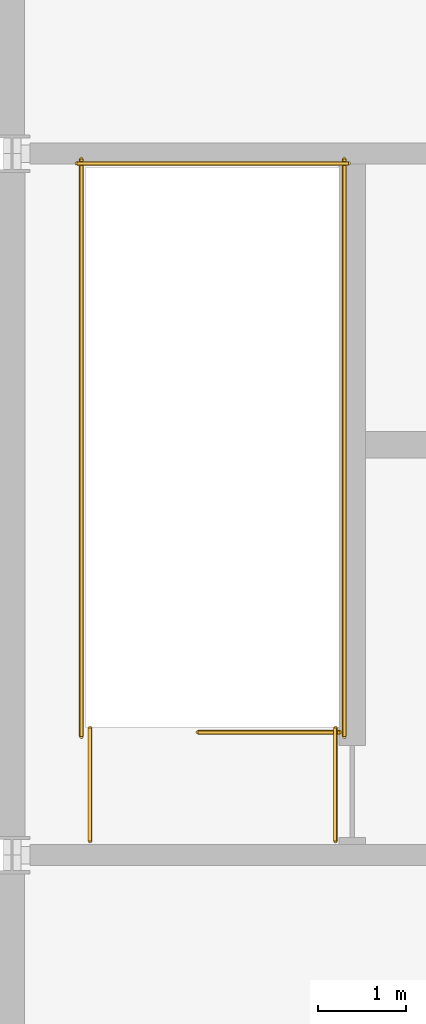
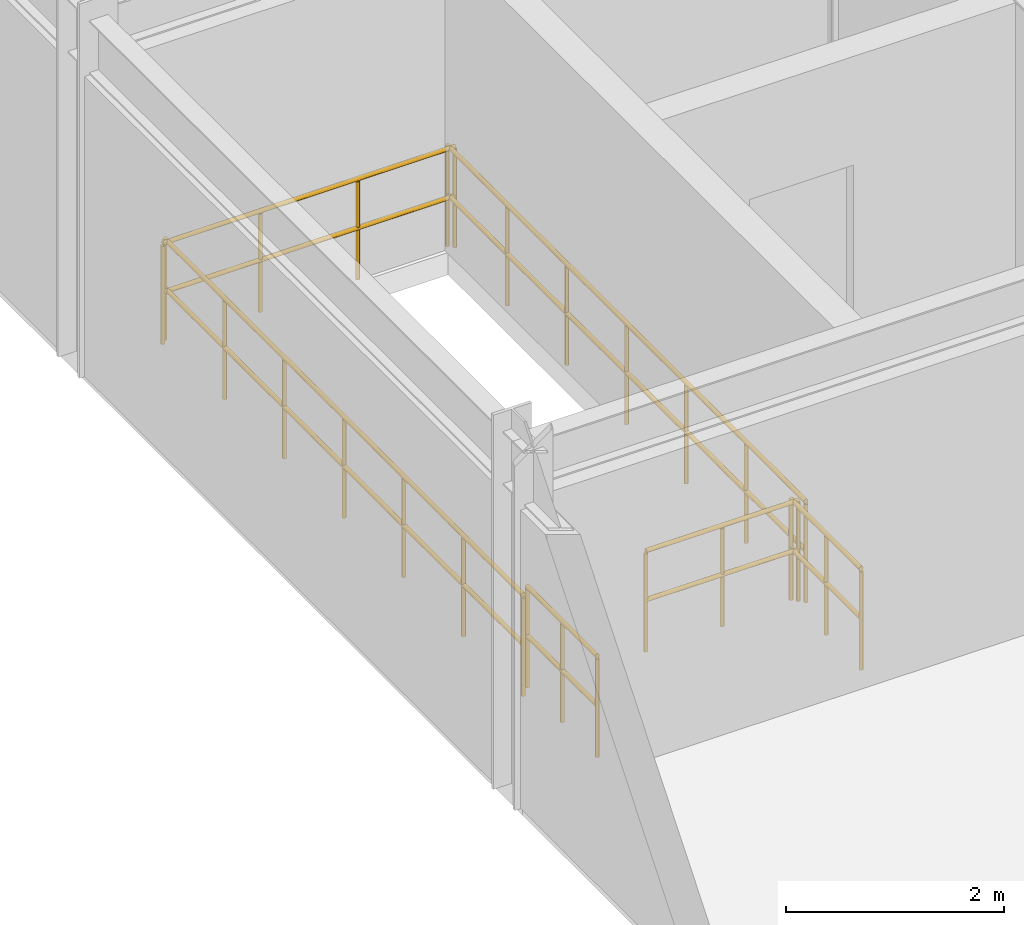
# One storey, part 51 of 54: 6 railings.
"""IFC4 building model written with IfcOpenShell, lengths in metres."""

from ifc_helpers import new_model, si_unit, direction, frame, origin, origin_2d, place, context, subcontext, project, spatial, circle, extrude, material, type_object, element, save


model = new_model("IFC4")

# Units and contexts
model_context = context("Model", 3, precision=1e-05, world=origin(), true_north=direction((0.0, 1.0)))
body_context = subcontext(model_context, "Body", "Model", "MODEL_VIEW")
ifc_project = project(units=[si_unit("LENGTHUNIT", "METRE"), si_unit("AREAUNIT", "SQUARE_METRE"), si_unit("VOLUMEUNIT", "CUBIC_METRE"), si_unit("PLANEANGLEUNIT", "RADIAN"), si_unit("MASSUNIT", "GRAM", prefix="KILO")], contexts=[model_context])

# Site, building, storey
site_placement = place(None, origin())
site = spatial("IfcSite", under=ifc_project, at=site_placement, CompositionType="ELEMENT")
building_placement = place(site_placement, origin())
building = spatial("IfcBuilding", under=site, at=building_placement, Name="Haebicheon Civic Stadium", CompositionType="ELEMENT")
storey_placement = place(building_placement, frame((0.0, 0.0, 22.800048828125)))
storey = spatial("IfcBuildingStorey", under=building, at=storey_placement, Name="L06", CompositionType="ELEMENT", Elevation=22.800048828125)

# Railings
ifc_material = material(Name="Galvanised painted steel SM355", Category="steel")
railing_type = type_object("IfcRailingType", Name="RL-GRD-1150", PredefinedType="GUARDRAIL", material=ifc_material)
railing_1_placement = place(storey_placement, frame((147.739990234375, 65.39990234375, 0.0)))
element("IfcRailing", 1, at=railing_1_placement, inside=storey, type_object=railing_type, material=ifc_material, Name="L06 ST-10 top well guard 1", PredefinedType="GUARDRAIL", context=body_context, shape_type="SweptSolid", body=[
    extrude(circle(Radius=0.02392578125, at=origin_2d()), frame((0.0, 0.0, 1.1259765625), z_axis=(-1.0, 0.0, 0.0), x_axis=(0.0, -1.0, 0.0)), (0.0, 0.0, 1.0), 1.619873046875),
    extrude(circle(Radius=0.02392578125, at=origin_2d()), frame((0.0, 0.0, 0.574951171875), z_axis=(-1.0, 0.0, 0.0), x_axis=(0.0, -1.0, 0.0)), (0.0, 0.0, 1.0), 1.619873046875),
    extrude(circle(Radius=0.02099609375, at=origin_2d()), origin(), (0.0, 0.0, 1.0), 1.101806640625),
    extrude(circle(Radius=0.02099609375, at=origin_2d()), frame((-0.81005859375, 0.0, 0.0)), (0.0, 0.0, 1.0), 1.101806640625),
    extrude(circle(Radius=0.02099609375, at=origin_2d()), frame((-1.619873046875, 0.0, 0.0)), (0.0, 0.0, 1.0), 1.101806640625),
])
for number, where, name in (
    (2, (147.7900390625, 65.35009765625, 0.0), "L06 ST-10 top well guard 2"),
    (3, (144.7900390625, 65.35009765625, 0.0), "L06 ST-10 top well guard 3"),
):
    element("IfcRailing", number, at=place(storey_placement, frame(where)), inside=storey, type_object=railing_type, material=ifc_material, Name=name, PredefinedType="GUARDRAIL", context=body_context, shape_type="SweptSolid", body=[
        extrude(circle(Radius=0.02392578125, at=origin_2d()), frame((0.0, 0.0, 1.1259765625), z_axis=(0.0, 1.0, 0.0), x_axis=(-1.0, 0.0, 0.0)), (0.0, 0.0, 1.0), 6.58984375),
        extrude(circle(Radius=0.02392578125, at=origin_2d()), frame((0.0, 0.0, 0.574951171875), z_axis=(0.0, 1.0, 0.0), x_axis=(-1.0, 0.0, 0.0)), (0.0, 0.0, 1.0), 6.58984375),
        extrude(circle(Radius=0.02099609375, at=origin_2d()), origin(), (0.0, 0.0, 1.0), 1.101806640625),
        extrude(circle(Radius=0.02099609375, at=origin_2d()), frame((0.0, 1.098388671875, 0.0)), (0.0, 0.0, 1.0), 1.101806640625),
        extrude(circle(Radius=0.02099609375, at=origin_2d()), frame((0.0, 2.196533203125, 0.0)), (0.0, 0.0, 1.0), 1.101806640625),
        extrude(circle(Radius=0.02099609375, at=origin_2d()), frame((0.0, 3.294921875, 0.0)), (0.0, 0.0, 1.0), 1.101806640625),
        extrude(circle(Radius=0.02099609375, at=origin_2d()), frame((0.0, 4.393310546875, 0.0)), (0.0, 0.0, 1.0), 1.101806640625),
        extrude(circle(Radius=0.02099609375, at=origin_2d()), frame((0.0, 5.491455078125, 0.0)), (0.0, 0.0, 1.0), 1.101806640625),
        extrude(circle(Radius=0.02099609375, at=origin_2d()), frame((0.0, 6.58984375, 0.0)), (0.0, 0.0, 1.0), 1.101806640625),
    ])
railing_2_placement = place(storey_placement, frame((147.840087890625, 71.889892578125, 0.0)))
element("IfcRailing", 4, at=railing_2_placement, inside=storey, type_object=railing_type, material=ifc_material, Name="L06 ST-10 top well guard 4", PredefinedType="GUARDRAIL", context=body_context, shape_type="SweptSolid", body=[
    extrude(circle(Radius=0.02392578125, at=origin_2d()), frame((0.0, 0.0, 1.1259765625), z_axis=(-1.0, 0.0, 0.0), x_axis=(0.0, -1.0, 0.0)), (0.0, 0.0, 1.0), 3.10009765625),
    extrude(circle(Radius=0.02392578125, at=origin_2d()), frame((0.0, 0.0, 0.574951171875), z_axis=(-1.0, 0.0, 0.0), x_axis=(0.0, -1.0, 0.0)), (0.0, 0.0, 1.0), 3.10009765625),
    extrude(circle(Radius=0.02099609375, at=origin_2d()), origin(), (0.0, 0.0, 1.0), 1.101806640625),
    extrude(circle(Radius=0.02099609375, at=origin_2d()), frame((-1.033447265625, 0.0, 0.0)), (0.0, 0.0, 1.0), 1.101806640625),
    extrude(circle(Radius=0.02099609375, at=origin_2d()), frame((-2.066650390625, 0.0, 0.0)), (0.0, 0.0, 1.0), 1.101806640625),
    extrude(circle(Radius=0.02099609375, at=origin_2d()), frame((-3.10009765625, 0.0, 0.0)), (0.0, 0.0, 1.0), 1.101806640625),
])
for number, where, name in (
    (5, (147.68994140625, 64.159912109375, 0.0), "L06 ST-10 top well guard 5"),
    (6, (144.889892578125, 64.159912109375, 0.0), "L06 ST-10 top well guard 6"),
):
    element("IfcRailing", number, at=place(storey_placement, frame(where)), inside=storey, type_object=railing_type, material=ifc_material, Name=name, PredefinedType="GUARDRAIL", context=body_context, shape_type="SweptSolid", body=[
        extrude(circle(Radius=0.02392578125, at=origin_2d()), frame((0.0, 0.0, 1.1259765625), z_axis=(0.0, 1.0, 0.0), x_axis=(-1.0, 0.0, 0.0)), (0.0, 0.0, 1.0), 1.2900390625),
        extrude(circle(Radius=0.02392578125, at=origin_2d()), frame((0.0, 0.0, 0.574951171875), z_axis=(0.0, 1.0, 0.0), x_axis=(-1.0, 0.0, 0.0)), (0.0, 0.0, 1.0), 1.2900390625),
        extrude(circle(Radius=0.02099609375, at=origin_2d()), origin(), (0.0, 0.0, 1.0), 1.101806640625),
        extrude(circle(Radius=0.02099609375, at=origin_2d()), frame((0.0, 0.64501953125, 0.0)), (0.0, 0.0, 1.0), 1.101806640625),
        extrude(circle(Radius=0.02099609375, at=origin_2d()), frame((0.0, 1.2900390625, 0.0)), (0.0, 0.0, 1.0), 1.101806640625),
    ])

save(model, "model.ifc")
